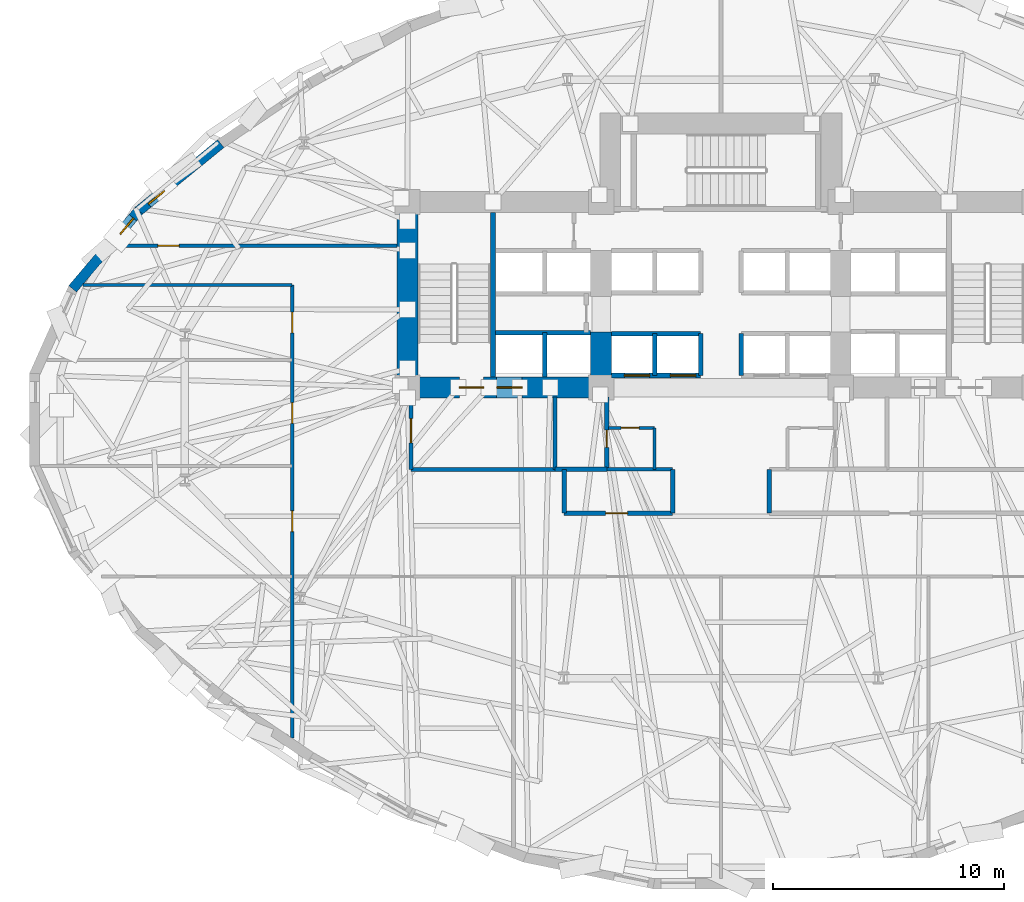
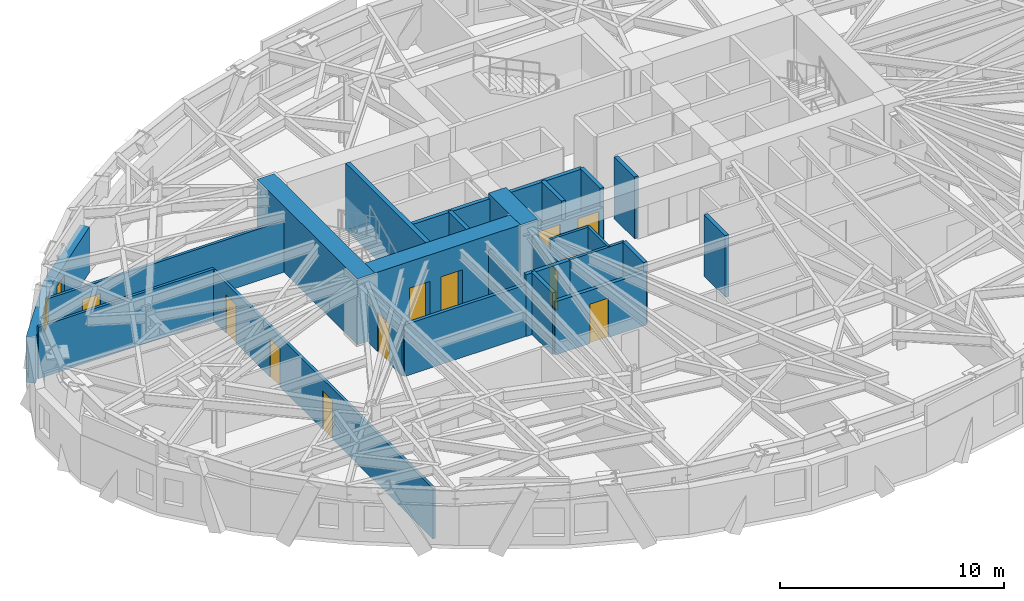
# One storey, part 7 of 14: 28 walls, 12 doors, 2 windows, 14 openings.
"""IFC4 building model written with IfcOpenShell, lengths in metres."""

from ifc_helpers import new_model, si_unit, direction, frame, frame_2d, origin, place, context, subcontext, project, spatial, rectangle, extrude, material, layer, layer_set, type_object, element, fill, save


model = new_model("IFC4")

# Units and contexts
model_context = context("Model", 3, precision=1e-05, world=origin(), true_north=direction((0.0, 1.0)))
body_context = subcontext(model_context, "Body", "Model", "MODEL_VIEW")
ifc_project = project(units=[si_unit("LENGTHUNIT", "METRE"), si_unit("AREAUNIT", "SQUARE_METRE"), si_unit("VOLUMEUNIT", "CUBIC_METRE"), si_unit("PLANEANGLEUNIT", "RADIAN"), si_unit("MASSUNIT", "GRAM", prefix="KILO")], contexts=[model_context])

# Site, building, storey
site_placement = place(None, origin())
site = spatial("IfcSite", under=ifc_project, at=site_placement, CompositionType="ELEMENT")
building_placement = place(site_placement, origin())
building = spatial("IfcBuilding", under=site, at=building_placement, Name="Keldmark Tower", CompositionType="ELEMENT")
storey_placement = place(building_placement, frame((0.0, 0.0, 73.800048828125)))
storey = spatial("IfcBuildingStorey", under=building, at=storey_placement, Name="L19", CompositionType="ELEMENT", Elevation=73.800048828125)

# Wall, openings, doors
ifc_material_1 = material(Name="Acoustic Double-Layer Gypsum Corridor Partition", Category="gypsum")
ifc_layer_1 = layer(ifc_material_1, 0.139892578125)
ifc_layer_set_1 = layer_set([ifc_layer_1], Name="Acoustic Double-Layer Gypsum Corridor Partition")
wall_type_1 = type_object("IfcWallType", Name="Acoustic Corridor Partition 140 mm", PredefinedType="PARTITIONING", material=ifc_layer_set_1)
wall_1_placement = place(storey_placement, frame((-18.60009765625, -13.806884765625, 0.0), z_axis=(0.0, 0.0, 1.0), x_axis=(0.0, 1.0, 0.0)))
wall_1 = element("IfcWall", 1, at=wall_1_placement, inside=storey, type_object=wall_type_1, Name="L19 Acoustic Corridor Partition 140 mm COR-W", PredefinedType="PARTITIONING", context=body_context, shape_type="SweptSolid", body=[
    extrude(rectangle(XDim=19.656982421875, YDim=0.139892578125, at=frame_2d((9.82861328125, 0.0))), origin(), (0.0, 0.0, 1.0), 2.739013671875),
])
opening_1_placement = place(wall_1_placement, frame((8.95654296875, 0.0, 0.0)))
opening_1 = element("IfcOpeningElement", 2, at=opening_1_placement, cuts=wall_1, Name="Opening D-IN090", PredefinedType="OPENING", context=body_context, shape_type="SweptSolid", body=[
    extrude(rectangle(XDim=0.89990234375, YDim=2.10009765625, at=frame_2d((0.449951171875, 1.050048828125))), frame((0.0, 0.079833984375, 0.0), z_axis=(0.0, -1.0, 0.0), x_axis=(1.0, 0.0, 0.0)), (0.0, 0.0, 1.0), 0.159912109375),
])
opening_2_placement = place(wall_1_placement, frame((13.656494140625, 0.0, 0.0)))
opening_2 = element("IfcOpeningElement", 3, at=opening_2_placement, cuts=wall_1, Name="Opening D-IN090", PredefinedType="OPENING", context=body_context, shape_type="SweptSolid", body=[
    extrude(rectangle(XDim=0.89990234375, YDim=2.10009765625, at=frame_2d((0.449951171875, 1.050048828125))), frame((0.0, 0.079833984375, 0.0), z_axis=(0.0, -1.0, 0.0), x_axis=(1.0, 0.0, 0.0)), (0.0, 0.0, 1.0), 0.159912109375),
])
opening_3_placement = place(wall_1_placement, frame((17.58154296875, 0.0, 0.0)))
opening_3 = element("IfcOpeningElement", 4, at=opening_3_placement, cuts=wall_1, Name="Opening D-IN090", PredefinedType="OPENING", context=body_context, shape_type="SweptSolid", body=[
    extrude(rectangle(XDim=0.89990234375, YDim=2.10009765625, at=frame_2d((0.449951171875, 1.050048828125))), frame((0.0, 0.079833984375, 0.0), z_axis=(0.0, -1.0, 0.0), x_axis=(1.0, 0.0, 0.0)), (0.0, 0.0, 1.0), 0.159912109375),
])
ifc_material_2 = material(Name="Stained American White Oak Veneer", Category="wood")
door_type_1 = type_object("IfcDoorType", Name="Interior Door 900x2100", OperationType="NOTDEFINED", PredefinedType="DOOR", material=ifc_material_2)
door_1_placement = place(opening_1_placement, origin())
door_1 = element("IfcDoor", 5, at=door_1_placement, inside=storey, type_object=door_type_1, Name="L19 Interior Door 900x2100 D-WR-1-L19", OperationType="SINGLE_SWING_LEFT", OverallHeight=2.10009765625, OverallWidth=0.89990234375, PredefinedType="DOOR", context=body_context, shape_type="SweptSolid", body=[
    extrude(rectangle(XDim=0.89990234375, YDim=2.10009765625, at=frame_2d((0.449951171875, 1.050048828125))), frame((0.0, 0.02490234375, 0.0), z_axis=(0.0, -1.0, 0.0), x_axis=(1.0, 0.0, 0.0)), (0.0, 0.0, 1.0), 0.050048828125),
])
fill(opening_1, door_1)
door_2_placement = place(opening_2_placement, origin())
door_2 = element("IfcDoor", 6, at=door_2_placement, inside=storey, type_object=door_type_1, Name="L19 Interior Door 900x2100 D-WR-2-L19", OperationType="SINGLE_SWING_RIGHT", OverallHeight=2.10009765625, OverallWidth=0.89990234375, PredefinedType="DOOR", context=body_context, shape_type="SweptSolid", body=[
    extrude(rectangle(XDim=0.89990234375, YDim=2.10009765625, at=frame_2d((0.449951171875, 1.050048828125))), frame((0.0, 0.02490234375, 0.0), z_axis=(0.0, -1.0, 0.0), x_axis=(1.0, 0.0, 0.0)), (0.0, 0.0, 1.0), 0.050048828125),
])
fill(opening_2, door_2)
door_3_placement = place(opening_3_placement, origin())
door_3 = element("IfcDoor", 7, at=door_3_placement, inside=storey, type_object=door_type_1, Name="L19 Interior Door 900x2100 D-WR-3-L19", OperationType="SINGLE_SWING_LEFT", OverallHeight=2.10009765625, OverallWidth=0.89990234375, PredefinedType="DOOR", context=body_context, shape_type="SweptSolid", body=[
    extrude(rectangle(XDim=0.89990234375, YDim=2.10009765625, at=frame_2d((0.449951171875, 1.050048828125))), frame((0.0, 0.02490234375, 0.0), z_axis=(0.0, -1.0, 0.0), x_axis=(1.0, 0.0, 0.0)), (0.0, 0.0, 1.0), 0.050048828125),
])
fill(opening_3, door_3)

# Wall, opening, door
wall_2_placement = place(storey_placement, frame((-26.24755859375, 7.550048828125, 0.0), z_axis=(0.0, 0.0, 1.0), x_axis=(1.0, 0.0, 0.0)))
wall_2 = element("IfcWall", 8, at=wall_2_placement, inside=storey, type_object=wall_type_1, Name="L19 Acoustic Corridor Partition 140 mm COR-WN-CAP", PredefinedType="PARTITIONING", context=body_context, shape_type="SweptSolid", body=[
    extrude(rectangle(XDim=12.197509765625, YDim=0.139892578125, at=frame_2d((6.0986328125, 0.0))), origin(), (0.0, 0.0, 1.0), 2.81298828125),
])
opening_4_placement = place(wall_2_placement, frame((1.822998046875, 0.0, 0.0)))
opening_4 = element("IfcOpeningElement", 9, at=opening_4_placement, cuts=wall_2, Name="Opening D-EX092", PredefinedType="OPENING", context=body_context, shape_type="SweptSolid", body=[
    extrude(rectangle(XDim=0.919921875, YDim=2.14990234375, at=frame_2d((0.4599609375, 1.074951171875))), frame((0.0, 0.079833984375, 0.0), z_axis=(0.0, -1.0, 0.0), x_axis=(1.0, 0.0, 0.0)), (0.0, 0.0, 1.0), 0.159912109375),
])
ifc_material_3 = material(Name="Flush American Ash Executive Office Door", Category="wood")
door_type_2 = type_object("IfcDoorType", Name="Executive Office Door 920x2150", OperationType="NOTDEFINED", PredefinedType="DOOR", material=ifc_material_3)
door_4_placement = place(opening_4_placement, origin())
door_4 = element("IfcDoor", 10, at=door_4_placement, inside=storey, type_object=door_type_2, Name="L19 Executive Office Door 920x2150 D-NRNW-L19", OperationType="SINGLE_SWING_LEFT", OverallHeight=2.14990234375, OverallWidth=0.919921875, PredefinedType="DOOR", context=body_context, shape_type="SweptSolid", body=[
    extrude(rectangle(XDim=0.919921875, YDim=2.14990234375, at=frame_2d((0.4599609375, 1.074951171875))), frame((0.0, 0.02490234375, 0.0), z_axis=(0.0, -1.0, 0.0), x_axis=(1.0, 0.0, 0.0)), (0.0, 0.0, 1.0), 0.050048828125),
])
fill(opening_4, door_4)

# Wall
wall_3_placement = place(storey_placement, frame((-27.684814453125, 5.85009765625, 0.0), z_axis=(0.0, 0.0, 1.0), x_axis=(1.0, 0.0, 0.0)))
element("IfcWall", 11, at=wall_3_placement, inside=storey, type_object=wall_type_1, Name="L19 Acoustic Corridor Partition 140 mm COR-WA-S", PredefinedType="PARTITIONING", context=body_context, shape_type="SweptSolid", body=[
    extrude(rectangle(XDim=9.084716796875, YDim=0.139892578125, at=frame_2d((4.54248046875, 0.0))), origin(), (0.0, 0.0, 1.0), 2.81298828125),
])

# Wall, opening, door
ifc_material_4 = material(Name="Heavy Acoustic Plumbing Chase Gypsum Assembly", Category="gypsum")
ifc_layer_2 = layer(ifc_material_4, 0.18994140625)
ifc_layer_set_2 = layer_set([ifc_layer_2], Name="Heavy Acoustic Plumbing Chase Gypsum Assembly")
wall_type_2 = type_object("IfcWallType", Name="Heavy Wet Wall 190 mm", PredefinedType="PLUMBINGWALL", material=ifc_layer_set_2)
wall_4_placement = place(storey_placement, frame((-6.800048828125, -4.050048828125, 0.0), z_axis=(0.0, 0.0, 1.0), x_axis=(1.0, 0.0, 0.0)))
wall_4 = element("IfcWall", 12, at=wall_4_placement, inside=storey, type_object=wall_type_2, Name="L19 Heavy Wet Wall 190 mm SPK-W-S", PredefinedType="PLUMBINGWALL", context=body_context, shape_type="SweptSolid", body=[
    extrude(rectangle(XDim=4.699951171875, YDim=0.18994140625, at=frame_2d((2.35009765625, 0.0))), origin(), (0.0, 0.0, 1.0), 2.89306640625),
])
opening_5_placement = place(wall_4_placement, frame((1.800048828125, 0.0, 0.0)))
opening_5 = element("IfcOpeningElement", 13, at=opening_5_placement, cuts=wall_4, Name="Opening D-AWC95", PredefinedType="OPENING", context=body_context, shape_type="SweptSolid", body=[
    extrude(rectangle(XDim=0.949951171875, YDim=2.14990234375, at=frame_2d((0.47509765625, 1.074951171875))), frame((0.0, 0.10498046875, 0.0), z_axis=(0.0, -1.0, 0.0), x_axis=(1.0, 0.0, 0.0)), (0.0, 0.0, 1.0), 0.2099609375),
])
ifc_material_5 = material(Name="Painted Solid-Core Architectural Wood", Category="wood")
door_type_3 = type_object("IfcDoorType", Name="Accessible WC Door 950x2150", OperationType="NOTDEFINED", PredefinedType="DOOR", material=ifc_material_5)
door_5_placement = place(opening_5_placement, origin())
door_5 = element("IfcDoor", 14, at=door_5_placement, inside=storey, type_object=door_type_3, Name="L19 Accessible WC Door 950x2150 D-SPKW1-L19", OperationType="SINGLE_SWING_LEFT", OverallHeight=2.14990234375, OverallWidth=0.949951171875, PredefinedType="DOOR", context=body_context, shape_type="SweptSolid", body=[
    extrude(rectangle(XDim=0.949951171875, YDim=2.14990234375, at=frame_2d((0.47509765625, 1.074951171875))), frame((0.0, 0.02490234375, 0.0), z_axis=(0.0, -1.0, 0.0), x_axis=(1.0, 0.0, 0.0)), (0.0, 0.0, 1.0), 0.050048828125),
])
fill(opening_5, door_5)

# Walls
for number, where, z_axis, x_axis, name in (
    (15, (-6.800048828125, -4.050048828125, 0.0), (0.0, 0.0, 1.0), (0.0, 1.0, 0.0), "L19 Heavy Wet Wall 190 mm SPK-W-W"),
    (16, (-2.10009765625, -4.050048828125, 0.0), (0.0, 0.0, 1.0), (0.0, 1.0, 0.0), "L19 Heavy Wet Wall 190 mm SPK-W-E"),
    (17, (2.10009765625, -4.050048828125, 0.0), (0.0, 0.0, 1.0), (0.0, 1.0, 0.0), "L19 Heavy Wet Wall 190 mm SPK-E-W"),
):
    element("IfcWall", number, at=place(storey_placement, frame(where, z_axis=z_axis, x_axis=x_axis)), inside=storey, type_object=wall_type_2, Name=name, PredefinedType="PLUMBINGWALL", context=body_context, shape_type="SweptSolid", body=[
        extrude(rectangle(XDim=1.900146484375, YDim=0.18994140625, at=frame_2d((0.9501953125, 0.0))), origin(), (0.0, 0.0, 1.0), 3.35986328125),
    ])

# Wall, opening, door
ifc_material_6 = material(Name="Acoustic Gypsum Board Interior Partition", Category="gypsum")
ifc_layer_3 = layer(ifc_material_6, 0.1298828125)
ifc_layer_set_3 = layer_set([ifc_layer_3], Name="Acoustic Gypsum Board Interior Partition")
wall_type_3 = type_object("IfcWallType", Name="Interior Partition 130 mm", PredefinedType="PARTITIONING", material=ifc_layer_set_3)
wall_5_placement = place(storey_placement, frame((-4.8798828125, -0.35009765625, 0.0), z_axis=(0.0, 0.0, 1.0), x_axis=(1.0, 0.0, 0.0)))
wall_5 = element("IfcWall", 18, at=wall_5_placement, inside=storey, type_object=wall_type_3, Name="L19 Interior Partition 130 mm CSC-W-N", PredefinedType="PARTITIONING", context=body_context, shape_type="SweptSolid", body=[
    extrude(rectangle(XDim=1.989990234375, YDim=0.1298828125, at=frame_2d((0.9951171875, 0.0))), origin(), (0.0, 0.0, 1.0), 3.35986328125),
])
opening_6_placement = place(wall_5_placement, frame((0.550048828125, 0.0, 0.0)))
opening_6 = element("IfcOpeningElement", 19, at=opening_6_placement, cuts=wall_5, Name="Opening D-CL078", PredefinedType="OPENING", context=body_context, shape_type="SweptSolid", body=[
    extrude(rectangle(XDim=0.780029296875, YDim=2.10009765625, at=frame_2d((0.39013671875, 1.050048828125))), frame((0.0, 0.074951171875, 0.0), z_axis=(0.0, -1.0, 0.0), x_axis=(1.0, 0.0, 0.0)), (0.0, 0.0, 1.0), 0.14990234375),
])
ifc_material_7 = material(Name="Flush Utility Closet Timber Door", Category="wood")
door_type_4 = type_object("IfcDoorType", Name="Closet Door 780x2100", OperationType="NOTDEFINED", PredefinedType="DOOR", material=ifc_material_7)
door_6_placement = place(opening_6_placement, origin())
door_6 = element("IfcDoor", 20, at=door_6_placement, inside=storey, type_object=door_type_4, Name="L19 Closet Door 780x2100 D-CSCW1-L19", OperationType="SINGLE_SWING_RIGHT", OverallHeight=2.10009765625, OverallWidth=0.780029296875, PredefinedType="DOOR", context=body_context, shape_type="SweptSolid", body=[
    extrude(rectangle(XDim=0.780029296875, YDim=2.10009765625, at=frame_2d((0.39013671875, 1.050048828125))), frame((0.0, 0.02490234375, 0.0), z_axis=(0.0, -1.0, 0.0), x_axis=(1.0, 0.0, 0.0)), (0.0, 0.0, 1.0), 0.050048828125),
])
fill(opening_6, door_6)

# Walls
wall_6_placement = place(storey_placement, frame((-2.889892578125, -2.14990234375, 0.0), z_axis=(0.0, 0.0, 1.0), x_axis=(0.0, 1.0, 0.0)))
element("IfcWall", 21, at=wall_6_placement, inside=storey, type_object=wall_type_3, Name="L19 Interior Partition 130 mm CSC-W-E", PredefinedType="PARTITIONING", context=body_context, shape_type="SweptSolid", body=[
    extrude(rectangle(XDim=1.7998046875, YDim=0.1298828125, at=frame_2d((0.89990234375, 0.0))), origin(), (0.0, 0.0, 1.0), 3.35986328125),
])
ifc_material_8 = material(Name="Concrete C70/85", Category="concrete")
ifc_layer_4 = layer(ifc_material_8, 0.89990234375)
ifc_layer_set_4 = layer_set([ifc_layer_4], Name="Concrete C70/85")
wall_type_4 = type_object("IfcWallType", Name="Lower Core Shear Wall 900 mm", PredefinedType="SHEAR", material=ifc_layer_set_4)
wall_7_placement = place(storey_placement, frame((-13.60009765625, 0.949951171875, 0.0), z_axis=(0.0, 0.0, 1.0), x_axis=(0.0, 1.0, 0.0)))
element("IfcWall", 22, at=wall_7_placement, inside=storey, type_object=wall_type_4, Name="L19 West Core Outer Shear Wall", PredefinedType="SHEAR", context=body_context, shape_type="SweptSolid", body=[
    extrude(rectangle(XDim=8.949951171875, YDim=0.89990234375, at=frame_2d((4.47509765625, 0.0))), origin(), (0.0, 0.0, 1.0), 3.599853515625),
])

# Wall, openings, doors
wall_8_placement = place(storey_placement, frame((-4.75, 1.39990234375, 0.0), z_axis=(0.0, 0.0, 1.0), x_axis=(-1.0, 0.0, 0.0)))
wall_8 = element("IfcWall", 23, at=wall_8_placement, inside=storey, type_object=wall_type_4, Name="L19 West Core South Shear Wall", PredefinedType="SHEAR", context=body_context, shape_type="SweptSolid", body=[
    extrude(rectangle(XDim=9.300048828125, YDim=0.89990234375, at=frame_2d((4.64990234375, 0.0))), origin(), (0.0, 0.0, 1.0), 3.599853515625),
])
opening_7_placement = place(wall_8_placement, frame((5.550048828125, 0.0, 0.0)))
opening_7 = element("IfcOpeningElement", 24, at=opening_7_placement, cuts=wall_8, Name="Opening D-ST105", PredefinedType="OPENING", context=body_context, shape_type="SweptSolid", body=[
    extrude(rectangle(XDim=1.050048828125, YDim=2.14990234375, at=frame_2d((0.52490234375, 1.074951171875))), frame((0.0, 0.4599609375, 0.0), z_axis=(0.0, -1.0, 0.0), x_axis=(1.0, 0.0, 0.0)), (0.0, 0.0, 1.0), 0.919921875),
])
opening_8_placement = place(wall_8_placement, frame((3.8798828125, 0.0, 0.0)))
opening_8 = element("IfcOpeningElement", 25, at=opening_8_placement, cuts=wall_8, Name="Opening LD-110", PredefinedType="OPENING", context=body_context, shape_type="SweptSolid", body=[
    extrude(rectangle(XDim=1.10009765625, YDim=2.199951171875, at=frame_2d((0.550048828125, 1.10009765625))), frame((0.0, 0.4599609375, 0.0), z_axis=(0.0, -1.0, 0.0), x_axis=(1.0, 0.0, 0.0)), (0.0, 0.0, 1.0), 0.919921875),
])
ifc_material_9 = material(Name="Brushed Bronze Hoistway Sliding Leaf", Category="metal")
door_type_5 = type_object("IfcDoorType", Name="Lift Landing Sliding Door 1100x2200", OperationType="SLIDING_TO_LEFT", PredefinedType="DOOR", material=ifc_material_9)
door_7_placement = place(opening_8_placement, origin())
door_7 = element("IfcDoor", 26, at=door_7_placement, inside=storey, type_object=door_type_5, Name="L19 Lift Landing Sliding Door 1100x2200 LD-EL-FS1-L19", OperationType="SLIDING_TO_LEFT", OverallHeight=2.199951171875, OverallWidth=1.10009765625, PredefinedType="DOOR", context=body_context, shape_type="SweptSolid", body=[
    extrude(rectangle(XDim=1.10009765625, YDim=2.199951171875, at=frame_2d((0.550048828125, 1.10009765625))), frame((0.0, 0.02490234375, 0.0), z_axis=(0.0, -1.0, 0.0), x_axis=(1.0, 0.0, 0.0)), (0.0, 0.0, 1.0), 0.050048828125),
])
fill(opening_8, door_7)
ifc_material_10 = material(Name="Hollow Metal Fire-Rated Door Assembly", Category="metal")
door_type_6 = type_object("IfcDoorType", Name="Stair Fire Door 1050x2150", OperationType="NOTDEFINED", PredefinedType="DOOR", material=ifc_material_10)
door_8_placement = place(opening_7_placement, origin())
door_8 = element("IfcDoor", 27, at=door_8_placement, inside=storey, type_object=door_type_6, Name="L19 Stair Fire Door 1050x2150 D-ST1-L19", OperationType="SINGLE_SWING_RIGHT", OverallHeight=2.14990234375, OverallWidth=1.050048828125, PredefinedType="DOOR", context=body_context, shape_type="SweptSolid", body=[
    extrude(rectangle(XDim=1.050048828125, YDim=2.14990234375, at=frame_2d((0.52490234375, 1.074951171875))), frame((0.0, 0.02490234375, 0.0), z_axis=(0.0, -1.0, 0.0), x_axis=(1.0, 0.0, 0.0)), (0.0, 0.0, 1.0), 0.050048828125),
])
fill(opening_7, door_8)

# Walls
wall_9_placement = place(storey_placement, frame((-5.199951171875, 0.949951171875, 0.0), z_axis=(0.0, 0.0, 1.0), x_axis=(0.0, 1.0, 0.0)))
element("IfcWall", 28, at=wall_9_placement, inside=storey, type_object=wall_type_4, Name="L19 West Core Inner Shear Pier South", PredefinedType="SHEAR", context=body_context, shape_type="SweptSolid", body=[
    extrude(rectangle(XDim=2.85009765625, YDim=0.89990234375, at=frame_2d((1.425048828125, 0.0))), origin(), (0.0, 0.0, 1.0), 3.599853515625),
])
ifc_material_11 = material(Name="Type X Fire-Rated Gypsum Partition Assembly", Category="gypsum")
ifc_layer_5 = layer(ifc_material_11, 0.1650390625)
ifc_layer_set_5 = layer_set([ifc_layer_5], Name="Type X Fire-Rated Gypsum Partition Assembly")
wall_type_5 = type_object("IfcWallType", Name="Rated Partition 165 mm", PredefinedType="PARTITIONING", material=ifc_layer_set_5)
wall_10_placement = place(storey_placement, frame((-13.449951171875, -2.14990234375, 0.0), z_axis=(0.0, 0.0, 1.0), x_axis=(1.0, 0.0, 0.0)))
element("IfcWall", 29, at=wall_10_placement, inside=storey, type_object=wall_type_5, Name="L19 Rated Partition 165 mm FSAE-W-S", PredefinedType="PARTITIONING", context=body_context, shape_type="SweptSolid", body=[
    extrude(rectangle(XDim=6.25, YDim=0.1650390625, at=frame_2d((3.125, 0.0))), origin(), (0.0, 0.0, 1.0), 2.81298828125),
])

# Wall, opening, door
wall_11_placement = place(storey_placement, frame((-13.449951171875, -2.14990234375, 0.0), z_axis=(0.0, 0.0, 1.0), x_axis=(0.0, 1.0, 0.0)))
wall_11 = element("IfcWall", 30, at=wall_11_placement, inside=storey, type_object=wall_type_5, Name="L19 Rated Partition 165 mm FSAE-W-W", PredefinedType="PARTITIONING", context=body_context, shape_type="SweptSolid", body=[
    extrude(rectangle(XDim=3.14990234375, YDim=0.1650390625, at=frame_2d((1.574951171875, 0.0))), origin(), (0.0, 0.0, 1.0), 2.81298828125),
])
opening_9_placement = place(wall_11_placement, frame((1.14990234375, 0.0, 0.0)))
opening_9 = element("IfcOpeningElement", 31, at=opening_9_placement, cuts=wall_11, Name="Opening D-FL105", PredefinedType="OPENING", context=body_context, shape_type="SweptSolid", body=[
    extrude(rectangle(XDim=1.050048828125, YDim=2.14990234375, at=frame_2d((0.52490234375, 1.074951171875))), frame((0.0, 0.092529296875, 0.0), z_axis=(0.0, -1.0, 0.0), x_axis=(1.0, 0.0, 0.0)), (0.0, 0.0, 1.0), 0.18505859375),
])
ifc_material_12 = material(Name="Fire-Rated Mineral-Core Door and Vision Lite", Category="metal")
door_type_7 = type_object("IfcDoorType", Name="Fire Lobby Door 1050x2150", OperationType="NOTDEFINED", PredefinedType="DOOR", material=ifc_material_12)
door_9_placement = place(opening_9_placement, origin())
door_9 = element("IfcDoor", 32, at=door_9_placement, inside=storey, type_object=door_type_7, Name="L19 Fire Lobby Door 1050x2150 D-FSAEW-OUT-L19", OperationType="SINGLE_SWING_LEFT", OverallHeight=2.14990234375, OverallWidth=1.050048828125, PredefinedType="DOOR", context=body_context, shape_type="SweptSolid", body=[
    extrude(rectangle(XDim=1.050048828125, YDim=2.14990234375, at=frame_2d((0.52490234375, 1.074951171875))), frame((0.0, 0.02490234375, 0.0), z_axis=(0.0, -1.0, 0.0), x_axis=(1.0, 0.0, 0.0)), (0.0, 0.0, 1.0), 0.050048828125),
])
fill(opening_9, door_9)

# Walls
wall_12_placement = place(storey_placement, frame((-7.199951171875, -2.14990234375, 0.0), z_axis=(0.0, 0.0, 1.0), x_axis=(0.0, 1.0, 0.0)))
element("IfcWall", 33, at=wall_12_placement, inside=storey, type_object=wall_type_5, Name="L19 Rated Partition 165 mm FSAE-W-E", PredefinedType="PARTITIONING", context=body_context, shape_type="SweptSolid", body=[
    extrude(rectangle(XDim=3.14990234375, YDim=0.1650390625, at=frame_2d((1.574951171875, 0.0))), origin(), (0.0, 0.0, 1.0), 2.81298828125),
])
ifc_material_13 = material(Name="Fire-Resistant Type X Gypsum Shaftliner Coreboard", Category="gypsum")
ifc_layer_6 = layer(ifc_material_13, 0.199951171875)
ifc_layer_set_6 = layer_set([ifc_layer_6], Name="Fire-Resistant Type X Gypsum Shaftliner Coreboard")
wall_type_6 = type_object("IfcWallType", Name="Shaft Wall 200 mm", PredefinedType="SOLIDWALL", material=ifc_layer_set_6)
wall_13_placement = place(storey_placement, frame((-7.199951171875, -2.14990234375, 0.0), z_axis=(0.0, 0.0, 1.0), x_axis=(1.0, 0.0, 0.0)))
element("IfcWall", 34, at=wall_13_placement, inside=storey, type_object=wall_type_6, Name="L19 Shaft Wall 200 mm RIS-SW-S", PredefinedType="SOLIDWALL", context=body_context, shape_type="SweptSolid", body=[
    extrude(rectangle(XDim=2.25, YDim=0.199951171875, at=frame_2d((1.125, 0.0))), origin(), (0.0, 0.0, 1.0), 3.35986328125),
])

# Wall, opening, door
wall_14_placement = place(storey_placement, frame((-4.949951171875, -2.14990234375, 0.0), z_axis=(0.0, 0.0, 1.0), x_axis=(0.0, 1.0, 0.0)))
wall_14 = element("IfcWall", 35, at=wall_14_placement, inside=storey, type_object=wall_type_6, Name="L19 Shaft Wall 200 mm RIS-SW-E", PredefinedType="SOLIDWALL", context=body_context, shape_type="SweptSolid", body=[
    extrude(rectangle(XDim=3.14990234375, YDim=0.199951171875, at=frame_2d((1.574951171875, 0.0))), origin(), (0.0, 0.0, 1.0), 2.81298828125),
])
opening_10_placement = place(wall_14_placement, frame((0.949951171875, 0.0, 0.0)))
opening_10 = element("IfcOpeningElement", 36, at=opening_10_placement, cuts=wall_14, Name="Opening D-RS075", PredefinedType="OPENING", context=body_context, shape_type="SweptSolid", body=[
    extrude(rectangle(XDim=0.75, YDim=2.10009765625, at=frame_2d((0.375, 1.050048828125))), frame((0.0, 0.10986328125, 0.0), z_axis=(0.0, -1.0, 0.0), x_axis=(1.0, 0.0, 0.0)), (0.0, 0.0, 1.0), 0.219970703125),
])
ifc_material_14 = material(Name="Galvanized Fire-Rated Access Leaf", Category="metal")
door_type_8 = type_object("IfcDoorType", Name="Riser Access Door 750x2100", OperationType="NOTDEFINED", PredefinedType="DOOR", material=ifc_material_14)
door_10_placement = place(opening_10_placement, origin())
door_10 = element("IfcDoor", 37, at=door_10_placement, inside=storey, type_object=door_type_8, Name="L19 Riser Access Door 750x2100 D-RISSW-L19", OperationType="SINGLE_SWING_RIGHT", OverallHeight=2.10009765625, OverallWidth=0.75, PredefinedType="DOOR", context=body_context, shape_type="SweptSolid", body=[
    extrude(rectangle(XDim=0.75, YDim=2.10009765625, at=frame_2d((0.375, 1.050048828125))), frame((0.0, 0.02490234375, 0.0), z_axis=(0.0, -1.0, 0.0), x_axis=(1.0, 0.0, 0.0)), (0.0, 0.0, 1.0), 0.050048828125),
])
fill(opening_10, door_10)

# Walls
wall_15_placement = place(storey_placement, frame((-9.780029296875, 3.780029296875, 0.0), z_axis=(0.0, 0.0, 1.0), x_axis=(1.0, 0.0, 0.0)))
element("IfcWall", 38, at=wall_15_placement, inside=storey, type_object=wall_type_6, Name="L19 Shaft Wall 200 mm HW-W-S", PredefinedType="SOLIDWALL", context=body_context, shape_type="SweptSolid", body=[
    extrude(rectangle(XDim=4.130126953125, YDim=0.199951171875, at=frame_2d((2.06494140625, 0.0))), origin(), (0.0, 0.0, 1.0), 3.35986328125),
])
wall_16_placement = place(storey_placement, frame((-7.64990234375, 1.85009765625, 0.0), z_axis=(0.0, 0.0, 1.0), x_axis=(0.0, 1.0, 0.0)))
element("IfcWall", 39, at=wall_16_placement, inside=storey, type_object=wall_type_6, Name="L19 Shaft Wall 200 mm HW-W-M", PredefinedType="SOLIDWALL", context=body_context, shape_type="SweptSolid", body=[
    extrude(rectangle(XDim=1.929931640625, YDim=0.199951171875, at=frame_2d((0.96484375, 0.0))), origin(), (0.0, 0.0, 1.0), 3.35986328125),
])

# Wall, openings, doors
wall_17_placement = place(storey_placement, frame((-4.739990234375, 1.919921875, 0.0), z_axis=(0.0, 0.0, 1.0), x_axis=(1.0, 0.0, 0.0)))
wall_17 = element("IfcWall", 40, at=wall_17_placement, inside=storey, type_object=wall_type_6, Name="L19 Shaft Wall 200 mm LOW-S-W", PredefinedType="SOLIDWALL", context=body_context, shape_type="SweptSolid", body=[
    extrude(rectangle(XDim=3.860107421875, YDim=0.199951171875, at=frame_2d((1.93017578125, 0.0))), origin(), (0.0, 0.0, 1.0), 2.349853515625),
])
opening_11_placement = place(wall_17_placement, frame((0.550048828125, 0.0, 0.0)))
opening_11 = element("IfcOpeningElement", 41, at=opening_11_placement, cuts=wall_17, Name="Opening LD-110", PredefinedType="OPENING", context=body_context, shape_type="SweptSolid", body=[
    extrude(rectangle(XDim=1.10009765625, YDim=2.199951171875, at=frame_2d((0.550048828125, 1.10009765625))), frame((0.0, 0.10986328125, 0.0), z_axis=(0.0, -1.0, 0.0), x_axis=(1.0, 0.0, 0.0)), (0.0, 0.0, 1.0), 0.219970703125),
])
opening_12_placement = place(wall_17_placement, frame((2.550048828125, 0.0, 0.0)))
opening_12 = element("IfcOpeningElement", 42, at=opening_12_placement, cuts=wall_17, Name="Opening LD-110", PredefinedType="OPENING", context=body_context, shape_type="SweptSolid", body=[
    extrude(rectangle(XDim=1.10009765625, YDim=2.199951171875, at=frame_2d((0.550048828125, 1.10009765625))), frame((0.0, 0.10986328125, 0.0), z_axis=(0.0, -1.0, 0.0), x_axis=(1.0, 0.0, 0.0)), (0.0, 0.0, 1.0), 0.219970703125),
])
door_11_placement = place(opening_11_placement, origin())
door_11 = element("IfcDoor", 43, at=door_11_placement, inside=storey, type_object=door_type_5, Name="L19 Lift Landing Sliding Door 1100x2200 LD-EL-L1-L19", OperationType="SLIDING_TO_LEFT", OverallHeight=2.199951171875, OverallWidth=1.10009765625, PredefinedType="DOOR", context=body_context, shape_type="SweptSolid", body=[
    extrude(rectangle(XDim=1.10009765625, YDim=2.199951171875, at=frame_2d((0.550048828125, 1.10009765625))), frame((0.0, 0.02490234375, 0.0), z_axis=(0.0, -1.0, 0.0), x_axis=(1.0, 0.0, 0.0)), (0.0, 0.0, 1.0), 0.050048828125),
])
fill(opening_11, door_11)
door_12_placement = place(opening_12_placement, origin())
door_12 = element("IfcDoor", 44, at=door_12_placement, inside=storey, type_object=door_type_5, Name="L19 Lift Landing Sliding Door 1100x2200 LD-EL-L2-L19", OperationType="SLIDING_TO_LEFT", OverallHeight=2.199951171875, OverallWidth=1.10009765625, PredefinedType="DOOR", context=body_context, shape_type="SweptSolid", body=[
    extrude(rectangle(XDim=1.10009765625, YDim=2.199951171875, at=frame_2d((0.550048828125, 1.10009765625))), frame((0.0, 0.02490234375, 0.0), z_axis=(0.0, -1.0, 0.0), x_axis=(1.0, 0.0, 0.0)), (0.0, 0.0, 1.0), 0.050048828125),
])
fill(opening_12, door_12)

# Walls
wall_18_placement = place(storey_placement, frame((-4.739990234375, 3.739990234375, 0.0), z_axis=(0.0, 0.0, 1.0), x_axis=(1.0, 0.0, 0.0)))
element("IfcWall", 45, at=wall_18_placement, inside=storey, type_object=wall_type_6, Name="L19 Shaft Wall 200 mm LOW-N-W", PredefinedType="SOLIDWALL", context=body_context, shape_type="SweptSolid", body=[
    extrude(rectangle(XDim=3.860107421875, YDim=0.199951171875, at=frame_2d((1.93017578125, 0.0))), origin(), (0.0, 0.0, 1.0), 3.35986328125),
])
for number, where, z_axis, x_axis, name in (
    (46, (-2.8798828125, 1.919921875, 0.0), (0.0, 0.0, 1.0), (0.0, 1.0, 0.0), "L19 Shaft Wall 200 mm LOW-M-W"),
    (47, (-0.8798828125, 1.919921875, 0.0), (0.0, 0.0, 1.0), (0.0, 1.0, 0.0), "L19 Shaft Wall 200 mm LOW-C-W"),
    (48, (0.8798828125, 1.919921875, 0.0), (0.0, 0.0, 1.0), (0.0, 1.0, 0.0), "L19 Shaft Wall 200 mm LOW-C-E"),
):
    element("IfcWall", number, at=place(storey_placement, frame(where, z_axis=z_axis, x_axis=x_axis)), inside=storey, type_object=wall_type_6, Name=name, PredefinedType="SOLIDWALL", context=body_context, shape_type="SweptSolid", body=[
        extrude(rectangle(XDim=1.820068359375, YDim=0.199951171875, at=frame_2d((0.91015625, 0.0))), origin(), (0.0, 0.0, 1.0), 3.35986328125),
    ])
ifc_material_15 = material(Name="Concrete C50/60", Category="concrete")
ifc_layer_7 = layer(ifc_material_15, 0.219970703125)
ifc_layer_set_7 = layer_set([ifc_layer_7], Name="Concrete C50/60")
wall_type_7 = type_object("IfcWallType", Name="Stair Core Shear Wall 220 mm", PredefinedType="SHEAR", material=ifc_layer_set_7)
wall_19_placement = place(storey_placement, frame((-9.889892578125, 1.85009765625, 0.0), z_axis=(0.0, 0.0, 1.0), x_axis=(0.0, 1.0, 0.0)))
element("IfcWall", 49, at=wall_19_placement, inside=storey, type_object=wall_type_7, Name="L19 West Stair Core Shear Wall", PredefinedType="SHEAR", context=body_context, shape_type="SweptSolid", body=[
    extrude(rectangle(XDim=7.14990234375, YDim=0.219970703125, at=frame_2d((3.574951171875, 0.0))), origin(), (0.0, 0.0, 1.0), 3.599853515625),
])

# Wall, opening, window
ifc_material_16 = material(Name="Ironspot Manganese Brick and Kasota Buff Limestone Spandrel Assembly", Category="masonry")
ifc_layer_8 = layer(ifc_material_16, 0.43994140625)
ifc_layer_set_8 = layer_set([ifc_layer_8], Name="Ironspot Manganese Brick and Kasota Buff Limestone Spandrel Assembly")
wall_type_8 = type_object("IfcWallType", Name="Tower Brick Pier and Spandrel Wall 440 mm", PredefinedType="STANDARD", material=ifc_layer_set_8)
wall_20_placement = place(storey_placement, frame((-25.28662109375, 9.045166015625, 0.0), z_axis=(0.0, 0.0, 1.0), x_axis=(0.7737766342, 0.63345853879, 0.0)))
wall_20 = element("IfcWall", 50, at=wall_20_placement, inside=storey, type_object=wall_type_8, Name="L19 Exterior Brick and Spandrel Wall 13", PredefinedType="STANDARD", context=body_context, shape_type="SweptSolid", body=[
    extrude(rectangle(XDim=4.636962890625, YDim=0.43994140625, at=frame_2d((2.318359375, 0.0))), origin(), (0.0, 0.0, 1.0), 2.489013671875),
])
opening_13_placement = place(wall_20_placement, frame((0.548583984375, 0.0, 0.580078125)))
opening_13 = element("IfcOpeningElement", 51, at=opening_13_placement, cuts=wall_20, Name="Opening W-09", PredefinedType="OPENING", context=body_context, shape_type="SweptSolid", body=[
    extrude(rectangle(XDim=0.89990234375, YDim=1.35009765625, at=frame_2d((0.449951171875, 0.675048828125))), frame((0.0, 0.22998046875, 0.0), z_axis=(0.0, -1.0, 0.0), x_axis=(1.0, 0.0, 0.0)), (0.0, 0.0, 1.0), 0.4599609375),
])
ifc_material_17 = material(Name="Thermally Broken Anodized Aluminum and Triple Low-E Argon Glazing", Category="aluminium")
window_type = type_object("IfcWindowType", Name="Corner Pier Deep-Set Window 900x1350", PartitioningType="SINGLE_PANEL", PredefinedType="WINDOW", material=ifc_material_17)
window_1_placement = place(opening_13_placement, origin())
window_1 = element("IfcWindow", 52, at=window_1_placement, inside=storey, type_object=window_type, Name="L19 Deep-Set Window 13", OverallHeight=1.35009765625, OverallWidth=0.89990234375, PartitioningType="SINGLE_PANEL", PredefinedType="WINDOW", context=body_context, shape_type="SweptSolid", body=[
    extrude(rectangle(XDim=0.89990234375, YDim=1.35009765625, at=frame_2d((0.449951171875, 0.675048828125))), frame((0.0, -0.010009765625, 0.0), z_axis=(0.0, -1.0, 0.0), x_axis=(1.0, 0.0, 0.0)), (0.0, 0.0, 1.0), 0.06005859375),
])
fill(opening_13, window_1)

wall_21_placement = place(storey_placement, frame((-28.128662109375, 5.678466796875, 0.0), z_axis=(0.0, 0.0, 1.0), x_axis=(0.645698517297, 0.763592446767, 0.0)))
wall_21 = element("IfcWall", 53, at=wall_21_placement, inside=storey, type_object=wall_type_8, Name="L19 Exterior Brick and Spandrel Wall 14", PredefinedType="STANDARD", context=body_context, shape_type="SweptSolid", body=[
    extrude(rectangle(XDim=4.446044921875, YDim=0.43994140625, at=frame_2d((2.22314453125, 0.0))), origin(), (0.0, 0.0, 1.0), 2.489013671875),
])
opening_14_placement = place(wall_21_placement, frame((3.146240234375, 0.0, 0.580078125)))
opening_14 = element("IfcOpeningElement", 54, at=opening_14_placement, cuts=wall_21, Name="Opening W-09", PredefinedType="OPENING", context=body_context, shape_type="SweptSolid", body=[
    extrude(rectangle(XDim=0.89990234375, YDim=1.35009765625, at=frame_2d((0.449951171875, 0.675048828125))), frame((0.0, 0.22998046875, 0.0), z_axis=(0.0, -1.0, 0.0), x_axis=(1.0, 0.0, 0.0)), (0.0, 0.0, 1.0), 0.4599609375),
])
window_2_placement = place(opening_14_placement, origin())
window_2 = element("IfcWindow", 55, at=window_2_placement, inside=storey, type_object=window_type, Name="L19 Deep-Set Window 14", OverallHeight=1.35009765625, OverallWidth=0.89990234375, PartitioningType="SINGLE_PANEL", PredefinedType="WINDOW", context=body_context, shape_type="SweptSolid", body=[
    extrude(rectangle(XDim=0.89990234375, YDim=1.35009765625, at=frame_2d((0.449951171875, 0.675048828125))), frame((0.0, -0.010009765625, 0.0), z_axis=(0.0, -1.0, 0.0), x_axis=(1.0, 0.0, 0.0)), (0.0, 0.0, 1.0), 0.06005859375),
])
fill(opening_14, window_2)

# Wall
ifc_material_18 = material(Name="Moisture-Resistant Gypsum Plumbing Partition", Category="gypsum")
ifc_layer_9 = layer(ifc_material_18, 0.14990234375)
ifc_layer_set_9 = layer_set([ifc_layer_9], Name="Moisture-Resistant Gypsum Plumbing Partition")
wall_type_9 = type_object("IfcWallType", Name="Wet Wall 150 mm", PredefinedType="PLUMBINGWALL", material=ifc_layer_set_9)
wall_22_placement = place(storey_placement, frame((-4.949951171875, -2.14990234375, 0.0), z_axis=(0.0, 0.0, 1.0), x_axis=(1.0, 0.0, 0.0)))
element("IfcWall", 56, at=wall_22_placement, inside=storey, type_object=wall_type_9, Name="L19 Wet Wall 150 mm SPK-W-N", PredefinedType="PLUMBINGWALL", context=body_context, shape_type="SweptSolid", body=[
    extrude(rectangle(XDim=2.849853515625, YDim=0.14990234375, at=frame_2d((1.4248046875, 0.0))), origin(), (0.0, 0.0, 1.0), 3.35986328125),
])

save(model, "model.ifc")
